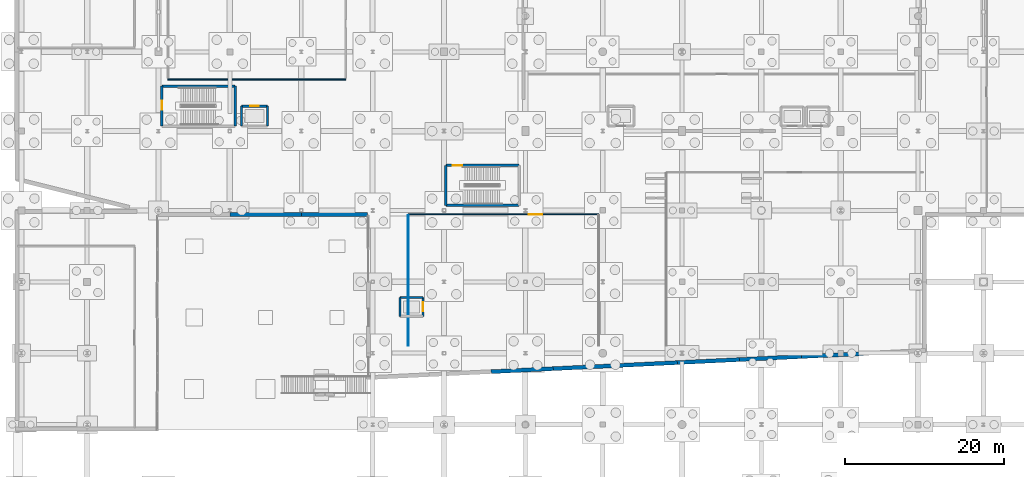
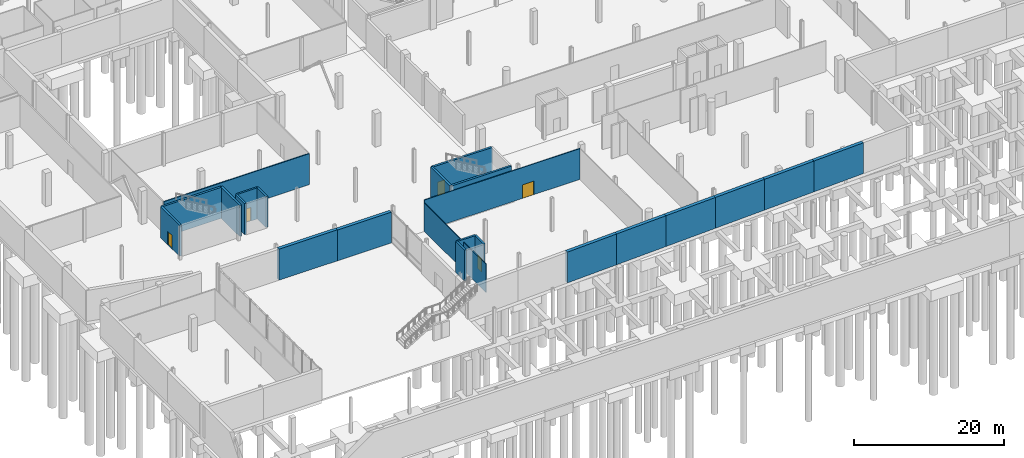
# One storey, part 43 of 60: 23 walls, 5 doors, 5 openings.
"""IFC4 building model written with IfcOpenShell, lengths in metres."""

from ifc_helpers import new_model, si_unit, direction, frame, frame_2d, origin, place, context, subcontext, project, spatial, rectangle, extrude, material, layer, layer_set, type_object, element, fill, save


model = new_model("IFC4")

# Units and contexts
model_context = context("Model", 3, precision=1e-05, world=origin(), true_north=direction((0.0, 1.0)))
body_context = subcontext(model_context, "Body", "Model", "MODEL_VIEW")
ifc_project = project(units=[si_unit("LENGTHUNIT", "METRE"), si_unit("AREAUNIT", "SQUARE_METRE"), si_unit("VOLUMEUNIT", "CUBIC_METRE"), si_unit("PLANEANGLEUNIT", "RADIAN"), si_unit("MASSUNIT", "GRAM", prefix="KILO")], contexts=[model_context])

# Site, building, storey
site_placement = place(None, origin())
site = spatial("IfcSite", under=ifc_project, at=site_placement, CompositionType="ELEMENT")
building_placement = place(site_placement, origin())
building = spatial("IfcBuilding", under=site, at=building_placement, Name="Trimount Lyric Opera House", CompositionType="ELEMENT")
storey_placement = place(building_placement, frame((0.0, 0.0, -5.39990234375)))
storey = spatial("IfcBuildingStorey", under=building, at=storey_placement, Name="B1", CompositionType="ELEMENT", Elevation=-5.39990234375)

# Wall, opening, door
ifc_material_1 = material(Name="Gypsum Board Partition")
ifc_layer_1 = layer(ifc_material_1, 0.1201171875)
ifc_layer_set_1 = layer_set([ifc_layer_1], Name="WL-PT120")
wall_type_1 = type_object("IfcWallType", Name="WL-PT120", PredefinedType="PARTITIONING", material=ifc_layer_set_1)
wall_1_placement = place(storey_placement, frame((73.5, 43.5, 0.0), z_axis=(0.0, 0.0, 1.0), x_axis=(-1.0, 0.0, 0.0)))
wall_1 = element("IfcWall", 1, at=wall_1_placement, inside=storey, type_object=wall_type_1, Name="B1 Lower Concourse Exhibition Gallery N partition", PredefinedType="PARTITIONING", context=body_context, shape_type="SweptSolid", body=[
    extrude(rectangle(XDim=24.0, YDim=0.1201171875, at=frame_2d((12.0, 0.0))), origin(), (0.0, 0.0, 1.0), 5.02001953125),
])
opening_1_placement = place(wall_1_placement, frame((7.14990234375, 0.0, 0.0)))
opening_1 = element("IfcOpeningElement", 2, at=opening_1_placement, cuts=wall_1, Name="Opening DT-COR2", PredefinedType="OPENING", context=body_context, shape_type="SweptSolid", body=[
    extrude(rectangle(XDim=1.699951171875, YDim=2.199951171875, at=frame_2d((0.85009765625, 1.10009765625))), frame((0.0, 0.070068359375, 0.0), z_axis=(0.0, -1.0, 0.0), x_axis=(1.0, 0.0, 0.0)), (0.0, 0.0, 1.0), 0.14013671875),
])
ifc_material_2 = material(Name="Solid Core White Oak")
door_type_1 = type_object("IfcDoorType", Name="DT-COR2", OperationType="DOUBLE_DOOR_SINGLE_SWING", PredefinedType="DOOR", material=ifc_material_2)
door_1_placement = place(opening_1_placement, origin())
door_1 = element("IfcDoor", 3, at=door_1_placement, inside=storey, type_object=door_type_1, Name="D-169", OperationType="DOUBLE_DOOR_SINGLE_SWING", OverallHeight=2.199951171875, OverallWidth=1.699951171875, PredefinedType="DOOR", context=body_context, shape_type="SweptSolid", body=[
    extrude(rectangle(XDim=1.699951171875, YDim=2.199951171875, at=frame_2d((0.85009765625, 1.10009765625))), frame((0.0, 0.02490234375, 0.0), z_axis=(0.0, -1.0, 0.0), x_axis=(1.0, 0.0, 0.0)), (0.0, 0.0, 1.0), 0.050048828125),
])
fill(opening_1, door_1)

# Walls
wall_2_placement = place(storey_placement, frame((49.5, 43.3798828125, 0.0), z_axis=(0.0, 0.0, 1.0), x_axis=(0.0, -1.0, 0.0)))
element("IfcWall", 4, at=wall_2_placement, inside=storey, type_object=wall_type_1, Name="B1 Lower Concourse Exhibition Gallery W partition", PredefinedType="PARTITIONING", context=body_context, shape_type="SweptSolid", body=[
    extrude(rectangle(XDim=16.4599609375, YDim=0.1201171875, at=frame_2d((8.22998046875, 0.0))), origin(), (0.0, 0.0, 1.0), 4.60595703125),
])
ifc_material_3 = material(Name="Fire-Rated Gypsum Board Partition")
ifc_layer_2 = layer(ifc_material_3, 0.14990234375)
ifc_layer_set_2 = layer_set([ifc_layer_2], Name="WL-PT150")
wall_type_2 = type_object("IfcWallType", Name="WL-PT150", PredefinedType="PARTITIONING", material=ifc_layer_set_2)
wall_3_placement = place(storey_placement, frame((19.199951171875, 60.5, 0.0), z_axis=(0.0, 0.0, 1.0), x_axis=(1.0, 0.0, 0.0)))
element("IfcWall", 5, at=wall_3_placement, inside=storey, type_object=wall_type_2, Name="B1 Musician Instrument Library S partition", PredefinedType="PARTITIONING", context=body_context, shape_type="SweptSolid", body=[
    extrude(rectangle(XDim=22.400146484375, YDim=0.14990234375, at=frame_2d((11.2001953125, 0.0))), origin(), (0.0, 0.0, 1.0), 5.0498046875),
])
ifc_material_4 = material(Name="Concrete C40/50", Category="concrete")
ifc_layer_3 = layer(ifc_material_4, 0.5)
ifc_layer_set_3 = layer_set([ifc_layer_3], Name="WL-RET500")
wall_type_3 = type_object("IfcWallType", Name="WL-RET500", PredefinedType="USERDEFINED", material=ifc_layer_set_3)
wall_4_placement = place(storey_placement, frame((106.85546875, 25.958251953125, 0.0), z_axis=(0.0, 0.0, 1.0), x_axis=(-0.998812425169, -0.048721035791, 0.0)))
element("IfcWall", 6, at=wall_4_placement, inside=storey, type_object=wall_type_3, Name="B1 exterior retaining wall 048", ObjectType="RETAININGWALL", PredefinedType="USERDEFINED", context=body_context, shape_type="SweptSolid", body=[
    extrude(rectangle(XDim=7.8271484375, YDim=0.5, at=frame_2d((3.91357421875, 0.0))), origin(), (0.0, 0.0, 1.0), 5.02001953125),
])
wall_5_placement = place(storey_placement, frame((99.03759765625, 25.576904296875, 0.0), z_axis=(0.0, 0.0, 1.0), x_axis=(-0.998810832673, -0.048753672011, 0.0)))
element("IfcWall", 7, at=wall_5_placement, inside=storey, type_object=wall_type_3, Name="B1 exterior retaining wall 049", ObjectType="RETAININGWALL", PredefinedType="USERDEFINED", context=body_context, shape_type="SweptSolid", body=[
    extrude(rectangle(XDim=7.826904296875, YDim=0.5, at=frame_2d((3.91357421875, 0.0))), origin(), (0.0, 0.0, 1.0), 5.02001953125),
])
for number, where, z_axis, x_axis, name in (
    (8, (91.219970703125, 25.1953125, 0.0), (0.0, 0.0, 1.0), (-0.998812425169, -0.048721035791, 0.0), "B1 exterior retaining wall 050"),
    (9, (83.402099609375, 24.81396484375, 0.0), (0.0, 0.0, 1.0), (-0.998812425169, -0.048721035791, 0.0), "B1 exterior retaining wall 051"),
):
    element("IfcWall", number, at=place(storey_placement, frame(where, z_axis=z_axis, x_axis=x_axis)), inside=storey, type_object=wall_type_3, Name=name, ObjectType="RETAININGWALL", PredefinedType="USERDEFINED", context=body_context, shape_type="SweptSolid", body=[
        extrude(rectangle(XDim=7.8271484375, YDim=0.5, at=frame_2d((3.91357421875, 0.0))), origin(), (0.0, 0.0, 1.0), 5.02001953125),
    ])
wall_6_placement = place(storey_placement, frame((75.584228515625, 24.4326171875, 0.0), z_axis=(0.0, 0.0, 1.0), x_axis=(-0.998810832673, -0.048753672011, 0.0)))
element("IfcWall", 10, at=wall_6_placement, inside=storey, type_object=wall_type_3, Name="B1 exterior retaining wall 052", ObjectType="RETAININGWALL", PredefinedType="USERDEFINED", context=body_context, shape_type="SweptSolid", body=[
    extrude(rectangle(XDim=7.826904296875, YDim=0.5, at=frame_2d((3.91357421875, 0.0))), origin(), (0.0, 0.0, 1.0), 5.02001953125),
])
wall_7_placement = place(storey_placement, frame((67.7666015625, 24.051025390625, 0.0), z_axis=(0.0, 0.0, 1.0), x_axis=(-0.998812425169, -0.048721035791, 0.0)))
element("IfcWall", 11, at=wall_7_placement, inside=storey, type_object=wall_type_3, Name="B1 exterior retaining wall 053", ObjectType="RETAININGWALL", PredefinedType="USERDEFINED", context=body_context, shape_type="SweptSolid", body=[
    extrude(rectangle(XDim=7.8271484375, YDim=0.5, at=frame_2d((3.91357421875, 0.0))), origin(), (0.0, 0.0, 1.0), 5.02001953125),
])
wall_8_placement = place(storey_placement, frame((44.320068359375, 43.4599609375, 0.0), z_axis=(0.0, 0.0, 1.0), x_axis=(-1.0, 0.0, 0.0)))
element("IfcWall", 12, at=wall_8_placement, inside=storey, type_object=wall_type_3, Name="B1 exterior retaining wall 058", ObjectType="RETAININGWALL", PredefinedType="USERDEFINED", context=body_context, shape_type="SweptSolid", body=[
    extrude(rectangle(XDim=8.320068359375, YDim=0.5, at=frame_2d((4.16015625, 0.0))), origin(), (0.0, 0.0, 1.0), 5.02001953125),
])
wall_9_placement = place(storey_placement, frame((36.0, 43.4599609375, 0.0), z_axis=(0.0, 0.0, 1.0), x_axis=(-1.0, 0.0, 0.0)))
element("IfcWall", 13, at=wall_9_placement, inside=storey, type_object=wall_type_3, Name="B1 exterior retaining wall 059", ObjectType="RETAININGWALL", PredefinedType="USERDEFINED", context=body_context, shape_type="SweptSolid", body=[
    extrude(rectangle(XDim=9.0, YDim=0.5, at=frame_2d((4.5, 0.0))), origin(), (0.0, 0.0, 1.0), 5.0498046875),
])

# Wall, opening, door
ifc_material_5 = material(Name="Concrete C40/50", Category="concrete")
ifc_layer_4 = layer(ifc_material_5, 0.280029296875)
ifc_layer_set_4 = layer_set([ifc_layer_4], Name="WL-SH280")
wall_type_4 = type_object("IfcWallType", Name="WL-SH280", PredefinedType="SHEAR", material=ifc_layer_set_4)
wall_10_placement = place(storey_placement, frame((31.739990234375, 57.139892578125, 0.0), z_axis=(0.0, 0.0, 1.0), x_axis=(-1.0, 0.0, 0.0)))
wall_10 = element("IfcWall", 14, at=wall_10_placement, inside=storey, type_object=wall_type_4, Name="Lift LF-06 B1 north shaft wall", PredefinedType="SHEAR", context=body_context, shape_type="SweptSolid", body=[
    extrude(rectangle(XDim=3.280029296875, YDim=0.280029296875, at=frame_2d((1.64013671875, 0.0))), origin(), (0.0, 0.0, 1.0), 5.0498046875),
])
opening_2_placement = place(wall_10_placement, frame((1.090087890625, 0.0, 0.0)))
opening_2 = element("IfcOpeningElement", 15, at=opening_2_placement, cuts=wall_10, Name="Opening DT-LD1", PredefinedType="OPENING", context=body_context, shape_type="SweptSolid", body=[
    extrude(rectangle(XDim=1.10009765625, YDim=2.199951171875, at=frame_2d((0.550048828125, 1.10009765625))), frame((0.0, 0.14990234375, 0.0), z_axis=(0.0, -1.0, 0.0), x_axis=(1.0, 0.0, 0.0)), (0.0, 0.0, 1.0), 0.300048828125),
])
ifc_material_6 = material(Name="Brushed Stainless Steel", Category="steel")
door_type_2 = type_object("IfcDoorType", Name="DT-LD1", OperationType="SLIDING_TO_LEFT", PredefinedType="DOOR", material=ifc_material_6)
door_2_placement = place(opening_2_placement, origin())
door_2 = element("IfcDoor", 16, at=door_2_placement, inside=storey, type_object=door_type_2, Name="D-107", OperationType="SLIDING_TO_LEFT", OverallHeight=2.199951171875, OverallWidth=1.10009765625, PredefinedType="DOOR", context=body_context, shape_type="SweptSolid", body=[
    extrude(rectangle(XDim=1.10009765625, YDim=2.199951171875, at=frame_2d((0.550048828125, 1.10009765625))), frame((0.0, 0.02490234375, 0.0), z_axis=(0.0, -1.0, 0.0), x_axis=(1.0, 0.0, 0.0)), (0.0, 0.0, 1.0), 0.050048828125),
])
fill(opening_2, door_2)

# Walls
for number, where, z_axis, x_axis, name in (
    (17, (28.4599609375, 57.139892578125, 0.0), (0.0, 0.0, 1.0), (0.0, -1.0, 0.0), "Lift LF-06 B1 west shaft wall"),
    (18, (31.739990234375, 54.659912109375, 0.0), (0.0, 0.0, 1.0), (0.0, 1.0, 0.0), "Lift LF-06 B1 east shaft wall"),
):
    element("IfcWall", number, at=place(storey_placement, frame(where, z_axis=z_axis, x_axis=x_axis)), inside=storey, type_object=wall_type_4, Name=name, PredefinedType="SHEAR", context=body_context, shape_type="SweptSolid", body=[
        extrude(rectangle(XDim=2.47998046875, YDim=0.280029296875, at=frame_2d((1.239990234375, 0.0))), origin(), (0.0, 0.0, 1.0), 5.0498046875),
    ])
wall_11_placement = place(storey_placement, frame((51.340087890625, 33.0400390625, 0.0), z_axis=(0.0, 0.0, 1.0), x_axis=(-1.0, 0.0, 0.0)))
element("IfcWall", 19, at=wall_11_placement, inside=storey, type_object=wall_type_4, Name="Lift LF-08 B1 north shaft wall", PredefinedType="SHEAR", context=body_context, shape_type="SweptSolid", body=[
    extrude(rectangle(XDim=2.880126953125, YDim=0.280029296875, at=frame_2d((1.43994140625, 0.0))), origin(), (0.0, 0.0, 1.0), 5.02001953125),
])
wall_12_placement = place(storey_placement, frame((48.4599609375, 33.0400390625, 0.0), z_axis=(0.0, 0.0, 1.0), x_axis=(0.0, -1.0, 0.0)))
element("IfcWall", 20, at=wall_12_placement, inside=storey, type_object=wall_type_4, Name="Lift LF-08 B1 west shaft wall", PredefinedType="SHEAR", context=body_context, shape_type="SweptSolid", body=[
    extrude(rectangle(XDim=2.380126953125, YDim=0.280029296875, at=frame_2d((1.18994140625, 0.0))), origin(), (0.0, 0.0, 1.0), 5.02001953125),
])

# Wall, opening, door
wall_13_placement = place(storey_placement, frame((51.340087890625, 30.659912109375, 0.0), z_axis=(0.0, 0.0, 1.0), x_axis=(0.0, 1.0, 0.0)))
wall_13 = element("IfcWall", 21, at=wall_13_placement, inside=storey, type_object=wall_type_4, Name="Lift LF-08 B1 east shaft wall", PredefinedType="SHEAR", context=body_context, shape_type="SweptSolid", body=[
    extrude(rectangle(XDim=2.380126953125, YDim=0.280029296875, at=frame_2d((1.18994140625, 0.0))), origin(), (0.0, 0.0, 1.0), 5.02001953125),
])
opening_3_placement = place(wall_13_placement, frame((0.639892578125, 0.0, 0.0)))
opening_3 = element("IfcOpeningElement", 22, at=opening_3_placement, cuts=wall_13, Name="Opening DT-LD1", PredefinedType="OPENING", context=body_context, shape_type="SweptSolid", body=[
    extrude(rectangle(XDim=1.10009765625, YDim=2.199951171875, at=frame_2d((0.550048828125, 1.10009765625))), frame((0.0, 0.14990234375, 0.0), z_axis=(0.0, -1.0, 0.0), x_axis=(1.0, 0.0, 0.0)), (0.0, 0.0, 1.0), 0.300048828125),
])
door_3_placement = place(opening_3_placement, origin())
door_3 = element("IfcDoor", 23, at=door_3_placement, inside=storey, type_object=door_type_2, Name="D-115", OperationType="SLIDING_TO_LEFT", OverallHeight=2.199951171875, OverallWidth=1.10009765625, PredefinedType="DOOR", context=body_context, shape_type="SweptSolid", body=[
    extrude(rectangle(XDim=1.10009765625, YDim=2.199951171875, at=frame_2d((0.550048828125, 1.10009765625))), frame((0.0, 0.02490234375, 0.0), z_axis=(0.0, -1.0, 0.0), x_axis=(1.0, 0.0, 0.0)), (0.0, 0.0, 1.0), 0.050048828125),
])
fill(opening_3, door_3)

# Wall
ifc_material_7 = material(Name="Concrete C40/50", Category="concrete")
ifc_layer_5 = layer(ifc_material_7, 0.320068359375)
ifc_layer_set_5 = layer_set([ifc_layer_5], Name="WL-SH320")
wall_type_5 = type_object("IfcWallType", Name="WL-SH320", PredefinedType="SHEAR", material=ifc_layer_set_5)
wall_14_placement = place(storey_placement, frame((27.675048828125, 59.675048828125, 0.0), z_axis=(0.0, 0.0, 1.0), x_axis=(-1.0, 0.0, 0.0)))
element("IfcWall", 24, at=wall_14_placement, inside=storey, type_object=wall_type_5, Name="K6 B1 north shaft wall", PredefinedType="SHEAR", context=body_context, shape_type="SweptSolid", body=[
    extrude(rectangle(XDim=9.25, YDim=0.320068359375, at=frame_2d((4.625, 0.0))), origin(), (0.0, 0.0, 1.0), 5.0498046875),
])

# Wall, opening, door
wall_15_placement = place(storey_placement, frame((18.425048828125, 59.675048828125, 0.0), z_axis=(0.0, 0.0, 1.0), x_axis=(0.0, -1.0, 0.0)))
wall_15 = element("IfcWall", 25, at=wall_15_placement, inside=storey, type_object=wall_type_5, Name="K6 B1 west shaft wall", PredefinedType="SHEAR", context=body_context, shape_type="SweptSolid", body=[
    extrude(rectangle(XDim=5.050048828125, YDim=0.320068359375, at=frame_2d((2.52490234375, 0.0))), origin(), (0.0, 0.0, 1.0), 5.0498046875),
])
opening_4_placement = place(wall_15_placement, frame((1.85009765625, 0.0, 0.0)))
opening_4 = element("IfcOpeningElement", 26, at=opening_4_placement, cuts=wall_15, Name="Opening DT-ST1", PredefinedType="OPENING", context=body_context, shape_type="SweptSolid", body=[
    extrude(rectangle(XDim=1.14990234375, YDim=2.199951171875, at=frame_2d((0.574951171875, 1.10009765625))), frame((0.0, 0.169921875, 0.0), z_axis=(0.0, -1.0, 0.0), x_axis=(1.0, 0.0, 0.0)), (0.0, 0.0, 1.0), 0.340087890625),
])
ifc_material_8 = material(Name="Fire-Rated Hollow Steel", Category="steel")
door_type_3 = type_object("IfcDoorType", Name="DT-ST1", OperationType="NOTDEFINED", PredefinedType="DOOR", material=ifc_material_8)
door_4_placement = place(opening_4_placement, origin())
door_4 = element("IfcDoor", 27, at=door_4_placement, inside=storey, type_object=door_type_3, Name="D-045", OperationType="SINGLE_SWING_LEFT", OverallHeight=2.199951171875, OverallWidth=1.14990234375, PredefinedType="DOOR", context=body_context, shape_type="SweptSolid", body=[
    extrude(rectangle(XDim=1.14990234375, YDim=2.199951171875, at=frame_2d((0.574951171875, 1.10009765625))), frame((0.0, 0.02490234375, 0.0), z_axis=(0.0, -1.0, 0.0), x_axis=(1.0, 0.0, 0.0)), (0.0, 0.0, 1.0), 0.050048828125),
])
fill(opening_4, door_4)

# Walls
wall_16_placement = place(storey_placement, frame((27.675048828125, 54.625, 0.0), z_axis=(0.0, 0.0, 1.0), x_axis=(0.0, 1.0, 0.0)))
element("IfcWall", 28, at=wall_16_placement, inside=storey, type_object=wall_type_5, Name="K6 B1 east shaft wall", PredefinedType="SHEAR", context=body_context, shape_type="SweptSolid", body=[
    extrude(rectangle(XDim=5.050048828125, YDim=0.320068359375, at=frame_2d((2.52490234375, 0.0))), origin(), (0.0, 0.0, 1.0), 5.0498046875),
])
wall_17_placement = place(storey_placement, frame((54.22509765625, 44.625, 0.0), z_axis=(0.0, 0.0, 1.0), x_axis=(1.0, 0.0, 0.0)))
element("IfcWall", 29, at=wall_17_placement, inside=storey, type_object=wall_type_5, Name="K7 B1 south shaft wall", PredefinedType="SHEAR", context=body_context, shape_type="SweptSolid", body=[
    extrude(rectangle(XDim=9.25, YDim=0.320068359375, at=frame_2d((4.625, 0.0))), origin(), (0.0, 0.0, 1.0), 5.02001953125),
])

# Wall, opening, door
wall_18_placement = place(storey_placement, frame((63.47509765625, 49.675048828125, 0.0), z_axis=(0.0, 0.0, 1.0), x_axis=(-1.0, 0.0, 0.0)))
wall_18 = element("IfcWall", 30, at=wall_18_placement, inside=storey, type_object=wall_type_5, Name="K7 B1 north shaft wall", PredefinedType="SHEAR", context=body_context, shape_type="SweptSolid", body=[
    extrude(rectangle(XDim=9.25, YDim=0.320068359375, at=frame_2d((4.625, 0.0))), origin(), (0.0, 0.0, 1.0), 5.02001953125),
])
opening_5_placement = place(wall_18_placement, frame((7.199951171875, 0.0, 0.0)))
opening_5 = element("IfcOpeningElement", 31, at=opening_5_placement, cuts=wall_18, Name="Opening DT-ST1", PredefinedType="OPENING", context=body_context, shape_type="SweptSolid", body=[
    extrude(rectangle(XDim=1.14990234375, YDim=2.199951171875, at=frame_2d((0.574951171875, 1.10009765625))), frame((0.0, 0.169921875, 0.0), z_axis=(0.0, -1.0, 0.0), x_axis=(1.0, 0.0, 0.0)), (0.0, 0.0, 1.0), 0.340087890625),
])
door_5_placement = place(opening_5_placement, origin())
door_5 = element("IfcDoor", 32, at=door_5_placement, inside=storey, type_object=door_type_3, Name="D-051", OperationType="SINGLE_SWING_LEFT", OverallHeight=2.199951171875, OverallWidth=1.14990234375, PredefinedType="DOOR", context=body_context, shape_type="SweptSolid", body=[
    extrude(rectangle(XDim=1.14990234375, YDim=2.199951171875, at=frame_2d((0.574951171875, 1.10009765625))), frame((0.0, 0.02490234375, 0.0), z_axis=(0.0, -1.0, 0.0), x_axis=(1.0, 0.0, 0.0)), (0.0, 0.0, 1.0), 0.050048828125),
])
fill(opening_5, door_5)

# Wall
wall_19_placement = place(storey_placement, frame((54.22509765625, 49.675048828125, 0.0), z_axis=(0.0, 0.0, 1.0), x_axis=(0.0, -1.0, 0.0)))
element("IfcWall", 33, at=wall_19_placement, inside=storey, type_object=wall_type_5, Name="K7 B1 west shaft wall", PredefinedType="SHEAR", context=body_context, shape_type="SweptSolid", body=[
    extrude(rectangle(XDim=5.050048828125, YDim=0.320068359375, at=frame_2d((2.52490234375, 0.0))), origin(), (0.0, 0.0, 1.0), 5.0498046875),
])

save(model, "model.ifc")
